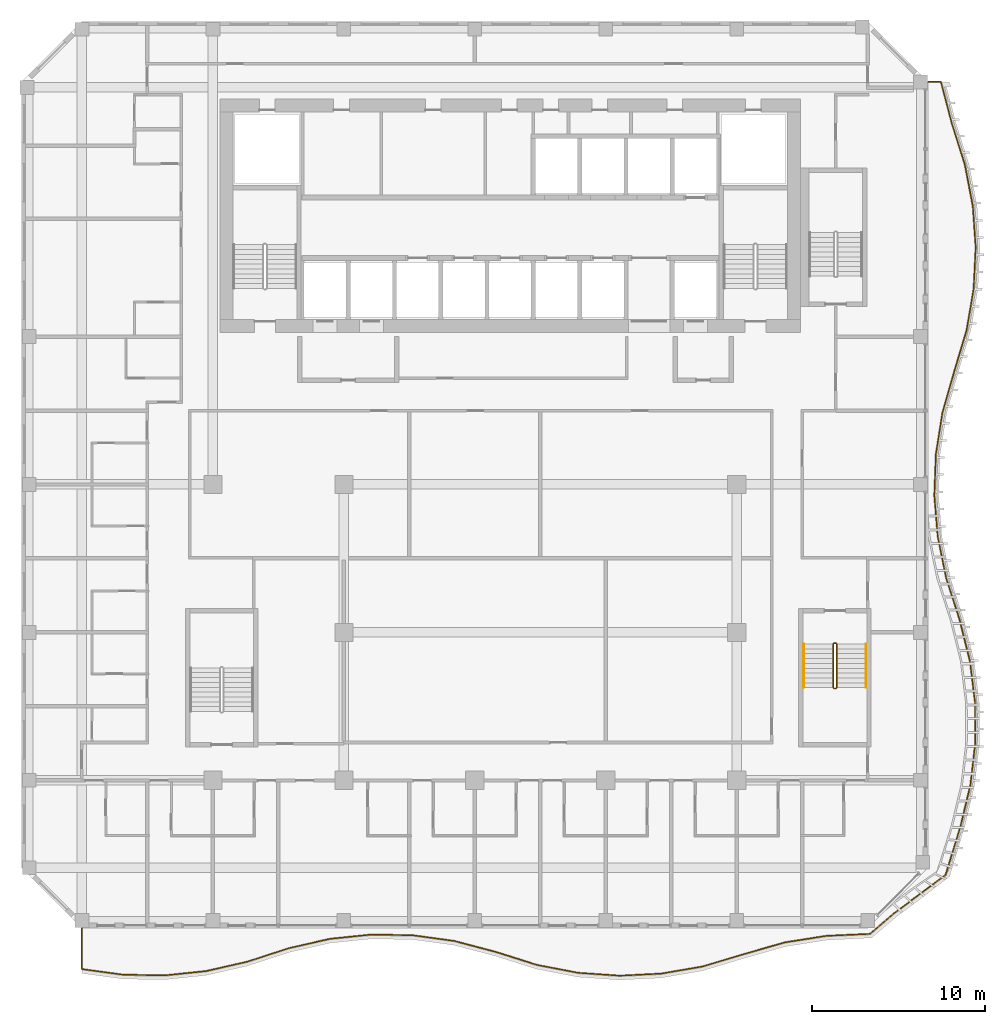
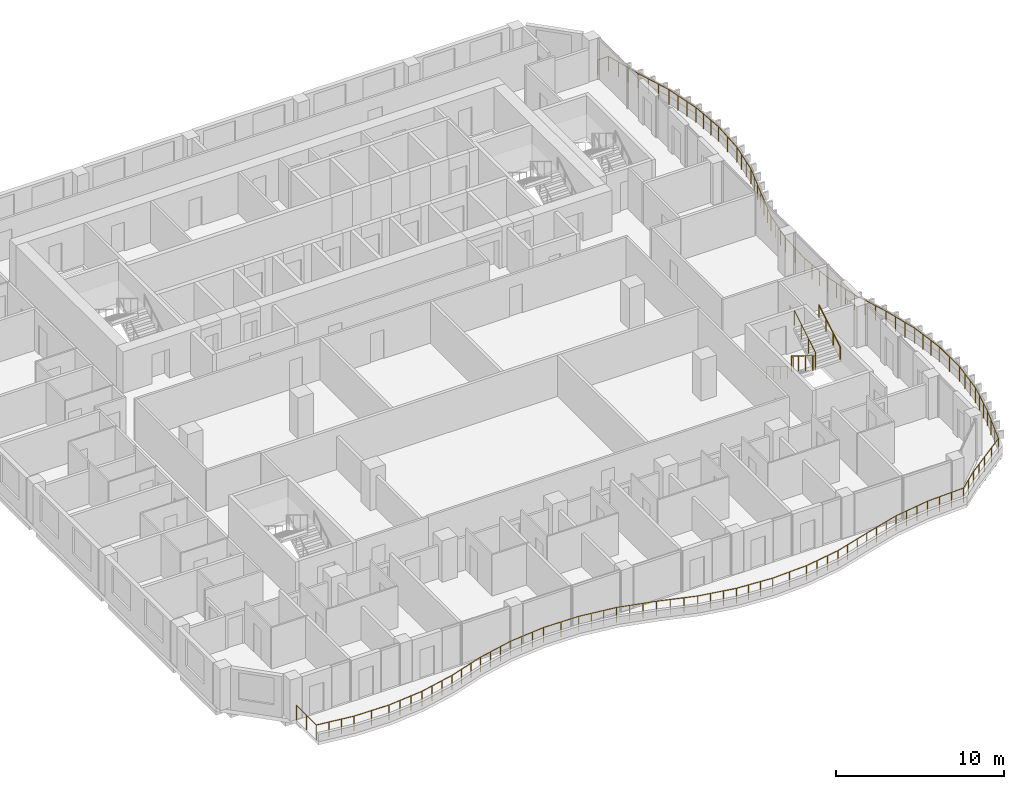
# One storey, part 23 of 24: 4 railings.
"""IFC4 building model written with IfcOpenShell, lengths in metres."""

from ifc_helpers import new_model, si_unit, direction, frame, origin, origin_2d, place, context, subcontext, project, spatial, circle, extrude, material, type_object, element, save


model = new_model("IFC4")

# Units and contexts
model_context = context("Model", 3, precision=1e-05, world=origin(), true_north=direction((0.0, 1.0)))
body_context = subcontext(model_context, "Body", "Model", "MODEL_VIEW")
ifc_project = project(units=[si_unit("LENGTHUNIT", "METRE"), si_unit("AREAUNIT", "SQUARE_METRE"), si_unit("VOLUMEUNIT", "CUBIC_METRE"), si_unit("PLANEANGLEUNIT", "RADIAN"), si_unit("MASSUNIT", "GRAM", prefix="KILO")], contexts=[model_context])

# Site, building, storey
site_placement = place(None, origin())
site = spatial("IfcSite", under=ifc_project, at=site_placement, CompositionType="ELEMENT")
building_placement = place(site_placement, origin())
building = spatial("IfcBuilding", under=site, at=building_placement, Name="Kilnfold Tower and Market Hall", CompositionType="ELEMENT")
storey_placement = place(building_placement, frame((0.0, 0.0, 192.300048828125)))
storey = spatial("IfcBuildingStorey", under=building, at=storey_placement, Name="L46", CompositionType="ELEMENT", Elevation=192.300048828125)

# Railings
ifc_material_1 = material(Name="Stainless steel 316", Category="steel")
railing_type_1 = type_object("IfcRailingType", Name="CORE STAIR GUARD 1100", PredefinedType="GUARDRAIL", material=ifc_material_1)
railing_1_placement = place(storey_placement, frame((19.89990234375, -9.75, 0.0)))
element("IfcRailing", 1, at=railing_1_placement, inside=storey, type_object=railing_type_1, Name="L46 ST4 stair guard 1", PredefinedType="GUARDRAIL", context=body_context, shape_type="SweptSolid", body=[
    extrude(circle(Radius=0.02392578125, at=origin_2d()), frame((0.0, 0.0, 1.076171875), z_axis=(-1.0, 0.0, 0.0), x_axis=(0.0, -1.0, 0.0)), (0.0, 0.0, 1.0), 0.099853515625),
    extrude(circle(Radius=0.02392578125, at=origin_2d()), frame((-0.099853515625, 0.0, 1.076171875), z_axis=(-0.271895245746, -0.271895245746, 0.923117517265), x_axis=(0.707106781187, -0.707106781187, 0.0)), (0.0, 0.0, 1.0), 0.18408203125),
    extrude(circle(Radius=0.02392578125, at=origin_2d()), frame((-0.14990234375, -0.050048828125, 1.24609375), z_axis=(0.0, -0.85478489116, 0.518982456201), x_axis=(1.0, 0.0, 0.0)), (0.0, 0.0, 1.0), 2.9482421875),
    extrude(circle(Radius=0.02392578125, at=origin_2d()), frame((-0.14990234375, -2.570068359375, 2.77587890625), z_axis=(0.707106781187, -0.707106781187, 0.0), x_axis=(0.707106781187, 0.707106781187, 0.0)), (0.0, 0.0, 1.0), 0.07080078125),
    extrude(circle(Radius=0.02392578125, at=origin_2d()), frame((-0.099853515625, -2.6201171875, 2.77587890625), z_axis=(1.0, 0.0, 0.0), x_axis=(0.0, 1.0, 0.0)), (0.0, 0.0, 1.0), 0.099853515625),
    extrude(circle(Radius=0.02392578125, at=origin_2d()), frame((0.0, -2.6201171875, 2.77587890625), z_axis=(0.271895245746, 0.271895245746, 0.923117517265), x_axis=(-0.707106781187, 0.707106781187, 0.0)), (0.0, 0.0, 1.0), 0.18408203125),
    extrude(circle(Radius=0.02392578125, at=origin_2d()), frame((0.050048828125, -2.570068359375, 2.94580078125), z_axis=(0.0, 0.85478489116, 0.518982456201), x_axis=(-1.0, 0.0, 0.0)), (0.0, 0.0, 1.0), 2.9482421875),
    extrude(circle(Radius=0.02099609375, at=origin_2d()), origin(), (0.0, 0.0, 1.0), 1.052001953125),
    extrude(circle(Radius=0.02099609375, at=origin_2d()), frame((-0.099853515625, 0.0, 0.0)), (0.0, 0.0, 1.0), 1.052001953125),
    extrude(circle(Radius=0.02099609375, at=origin_2d()), frame((-0.14990234375, -0.050048828125, 0.169921875)), (0.0, 0.0, 1.0), 1.052001953125),
    extrude(circle(Radius=0.02099609375, at=origin_2d()), frame((-0.14990234375, -0.89013671875, 0.679931640625)), (0.0, 0.0, 1.0), 1.052001953125),
    extrude(circle(Radius=0.02099609375, at=origin_2d()), frame((-0.14990234375, -1.72998046875, 1.18994140625)), (0.0, 0.0, 1.0), 1.052001953125),
    extrude(circle(Radius=0.02099609375, at=origin_2d()), frame((-0.14990234375, -2.570068359375, 1.699951171875)), (0.0, 0.0, 1.0), 1.052001953125),
    extrude(circle(Radius=0.02099609375, at=origin_2d()), frame((-0.099853515625, -2.6201171875, 1.699951171875)), (0.0, 0.0, 1.0), 1.052001953125),
    extrude(circle(Radius=0.02099609375, at=origin_2d()), frame((0.0, -2.6201171875, 1.699951171875)), (0.0, 0.0, 1.0), 1.052001953125),
    extrude(circle(Radius=0.02099609375, at=origin_2d()), frame((0.050048828125, -2.570068359375, 1.869873046875)), (0.0, 0.0, 1.0), 1.052001953125),
    extrude(circle(Radius=0.02099609375, at=origin_2d()), frame((0.050048828125, -1.72998046875, 2.3798828125)), (0.0, 0.0, 1.0), 1.052001953125),
    extrude(circle(Radius=0.02099609375, at=origin_2d()), frame((0.050048828125, -0.89013671875, 2.889892578125)), (0.0, 0.0, 1.0), 1.052001953125),
    extrude(circle(Radius=0.02099609375, at=origin_2d()), frame((0.050048828125, -0.050048828125, 3.39990234375)), (0.0, 0.0, 1.0), 1.052001953125),
])
ifc_material_2 = material(Name="Stainless steel 316", Category="steel")
railing_type_2 = type_object("IfcRailingType", Name="CORE STAIR HANDRAIL 900", PredefinedType="HANDRAIL", material=ifc_material_2)
railing_2_placement = place(storey_placement, frame((18.050048828125, -9.800048828125, 0.169921875)))
element("IfcRailing", 2, at=railing_2_placement, inside=storey, type_object=railing_type_2, Name="L46 ST4 stair handrail 1", PredefinedType="HANDRAIL", context=body_context, shape_type="SweptSolid", body=[
    extrude(circle(Radius=0.02392578125, at=origin_2d()), frame((0.0, 0.0, 0.8759765625), z_axis=(0.0, -0.85478489116, 0.518982456201), x_axis=(1.0, 0.0, 0.0)), (0.0, 0.0, 1.0), 2.9482421875),
    extrude(circle(Radius=0.02099609375, at=origin_2d()), origin(), (0.0, 0.0, 1.0), 0.851806640625),
    extrude(circle(Radius=0.02099609375, at=origin_2d()), frame((0.0, -0.840087890625, 0.510009765625)), (0.0, 0.0, 1.0), 0.851806640625),
    extrude(circle(Radius=0.02099609375, at=origin_2d()), frame((0.0, -1.679931640625, 1.02001953125)), (0.0, 0.0, 1.0), 0.851806640625),
    extrude(circle(Radius=0.02099609375, at=origin_2d()), frame((0.0, -2.52001953125, 1.530029296875)), (0.0, 0.0, 1.0), 0.851806640625),
])
railing_3_placement = place(storey_placement, frame((21.64990234375, -12.320068359375, 1.869873046875)))
element("IfcRailing", 3, at=railing_3_placement, inside=storey, type_object=railing_type_2, Name="L46 ST4 stair handrail 2", PredefinedType="HANDRAIL", context=body_context, shape_type="SweptSolid", body=[
    extrude(circle(Radius=0.02392578125, at=origin_2d()), frame((0.0, 0.0, 0.8759765625), z_axis=(0.0, 0.85478489116, 0.518982456201), x_axis=(-1.0, 0.0, 0.0)), (0.0, 0.0, 1.0), 2.9482421875),
    extrude(circle(Radius=0.02099609375, at=origin_2d()), origin(), (0.0, 0.0, 1.0), 0.851806640625),
    extrude(circle(Radius=0.02099609375, at=origin_2d()), frame((0.0, 0.840087890625, 0.510009765625)), (0.0, 0.0, 1.0), 0.851806640625),
    extrude(circle(Radius=0.02099609375, at=origin_2d()), frame((0.0, 1.679931640625, 1.02001953125)), (0.0, 0.0, 1.0), 0.851806640625),
    extrude(circle(Radius=0.02099609375, at=origin_2d()), frame((0.0, 2.52001953125, 1.530029296875)), (0.0, 0.0, 1.0), 0.851806640625),
])
ifc_material_3 = material(Name="Stainless steel and laminated glass", Category="steel")
railing_type_3 = type_object("IfcRailingType", Name="GUARD 1100", PredefinedType="GUARDRAIL", material=ifc_material_3)
railing_4_placement = place(storey_placement, frame((-23.75, -26.25, 0.0)))
element("IfcRailing", 4, at=railing_4_placement, inside=storey, type_object=railing_type_3, Name="Guard balcony L46", PredefinedType="GUARDRAIL", context=body_context, shape_type="SweptSolid", body=[
    extrude(circle(Radius=0.02490234375, at=origin_2d()), frame((0.0, 0.0, 1.0751953125), z_axis=(0.0, -1.0, 0.0), x_axis=(1.0, 0.0, 0.0)), (0.0, 0.0, 1.0), 2.3662109375),
    extrude(circle(Radius=0.02490234375, at=origin_2d()), frame((0.0, -2.3662109375, 1.0751953125), z_axis=(0.990851669737, -0.134955431825, 0.0), x_axis=(0.134955431825, 0.990851669737, 0.0)), (0.0, 0.0, 1.0), 2.4169921875),
    extrude(circle(Radius=0.02490234375, at=origin_2d()), frame((2.394775390625, -2.6923828125, 1.0751953125), z_axis=(0.999868650262, -0.016207474298, 0.0), x_axis=(0.016207474298, 0.999868650262, 0.0)), (0.0, 0.0, 1.0), 2.39501953125),
    extrude(circle(Radius=0.02490234375, at=origin_2d()), frame((4.78955078125, -2.731201171875, 1.0751953125), z_axis=(0.994687855772, 0.102937211828, 0.0), x_axis=(-0.102937211828, 0.994687855772, 0.0)), (0.0, 0.0, 1.0), 2.4072265625),
    extrude(circle(Radius=0.02490234375, at=origin_2d()), frame((7.18408203125, -2.4833984375, 1.0751953125), z_axis=(0.97511820574, 0.221685553961, 0.0), x_axis=(-0.221685553961, 0.97511820574, 0.0)), (0.0, 0.0, 1.0), 2.455810546875),
    extrude(circle(Radius=0.02490234375, at=origin_2d()), frame((9.578857421875, -1.93896484375, 1.0751953125), z_axis=(0.950660885118, 0.310231980147, 0.0), x_axis=(-0.310231980147, 0.950660885118, 0.0)), (0.0, 0.0, 1.0), 2.51904296875),
    extrude(circle(Radius=0.02490234375, at=origin_2d()), frame((11.9736328125, -1.157470703125, 1.0751953125), z_axis=(0.975246995053, 0.221118291059, 0.0), x_axis=(-0.221118291059, 0.975246995053, 0.0)), (0.0, 0.0, 1.0), 2.45556640625),
    extrude(circle(Radius=0.02490234375, at=origin_2d()), frame((14.368408203125, -0.614501953125, 1.0751953125), z_axis=(0.994761361098, 0.102224431847, 0.0), x_axis=(-0.102224431847, 0.994761361098, 0.0)), (0.0, 0.0, 1.0), 2.407470703125),
    extrude(circle(Radius=0.02490234375, at=origin_2d()), frame((16.76318359375, -0.368408203125, 1.0751953125), z_axis=(0.999860261141, -0.016717003041, 0.0), x_axis=(0.016717003041, 0.999860261141, 0.0)), (0.0, 0.0, 1.0), 2.39501953125),
    extrude(circle(Radius=0.02490234375, at=origin_2d()), frame((19.157958984375, -0.408447265625, 1.0751953125), z_axis=(0.990755022551, -0.135663131656, 0.0), x_axis=(0.135663131656, 0.990755022551, 0.0)), (0.0, 0.0, 1.0), 2.4169921875),
    extrude(circle(Radius=0.02490234375, at=origin_2d()), frame((21.552490234375, -0.736328125, 1.0751953125), z_axis=(0.967040051988, -0.254624307267, 0.0), x_axis=(0.254624307267, 0.967040051988, 0.0)), (0.0, 0.0, 1.0), 2.4765625),
    extrude(circle(Radius=0.02490234375, at=origin_2d()), frame((23.947509765625, -1.366943359375, 1.0751953125), z_axis=(0.953562091819, -0.301196509019, 0.0), x_axis=(0.301196509019, 0.953562091819, 0.0)), (0.0, 0.0, 1.0), 2.51123046875),
    extrude(circle(Radius=0.02490234375, at=origin_2d()), frame((26.342041015625, -2.123291015625, 1.0751953125), z_axis=(0.98210557725, -0.188331184709, 0.0), x_axis=(0.188331184709, 0.98210557725, 0.0)), (0.0, 0.0, 1.0), 2.4384765625),
    extrude(circle(Radius=0.02490234375, at=origin_2d()), frame((28.73681640625, -2.58251953125, 1.0751953125), z_axis=(0.997591657875, -0.06936053733, 0.0), x_axis=(0.06936053733, 0.997591657875, 0.0)), (0.0, 0.0, 1.0), 2.400634765625),
    extrude(circle(Radius=0.02490234375, at=origin_2d()), frame((31.131591796875, -2.7490234375, 1.0751953125), z_axis=(0.998769797863, 0.049587204767, 0.0), x_axis=(-0.049587204767, 0.998769797863, 0.0)), (0.0, 0.0, 1.0), 2.397705078125),
    extrude(circle(Radius=0.02490234375, at=origin_2d()), frame((33.5263671875, -2.630126953125, 1.0751953125), z_axis=(0.985698179357, 0.168520322845, 0.0), x_axis=(-0.168520322845, 0.985698179357, 0.0)), (0.0, 0.0, 1.0), 2.429443359375),
    extrude(circle(Radius=0.02490234375, at=origin_2d()), frame((35.921142578125, -2.220703125, 1.0751953125), z_axis=(0.957898824058, 0.287105978462, 0.0), x_axis=(-0.287105978462, 0.957898824058, 0.0)), (0.0, 0.0, 1.0), 2.5),
    extrude(circle(Radius=0.02490234375, at=origin_2d()), frame((38.31591796875, -1.5029296875, 1.0751953125), z_axis=(0.961608995727, 0.274423284976, 0.0), x_axis=(-0.274423284976, 0.961608995727, 0.0)), (0.0, 0.0, 1.0), 2.490234375),
    extrude(circle(Radius=0.02490234375, at=origin_2d()), frame((40.71044921875, -0.819580078125, 1.0751953125), z_axis=(0.987852622881, 0.155393678979, 0.0), x_axis=(-0.155393678979, 0.987852622881, 0.0)), (0.0, 0.0, 1.0), 2.42431640625),
    extrude(circle(Radius=0.02490234375, at=origin_2d()), frame((43.105224609375, -0.44287109375, 1.0751953125), z_axis=(0.998973699983, 0.045294003376, 0.0), x_axis=(-0.045294003376, 0.998973699983, 0.0)), (0.0, 0.0, 1.0), 2.533447265625),
    extrude(circle(Radius=0.02490234375, at=origin_2d()), frame((45.635986328125, -0.328125, 1.0751953125), z_axis=(0.757579649676, 0.652742732167, 0.0), x_axis=(-0.652742732167, 0.757579649676, 0.0)), (0.0, 0.0, 1.0), 1.790771484375),
    extrude(circle(Radius=0.02490234375, at=origin_2d()), frame((46.99267578125, 0.8408203125, 1.0751953125), z_axis=(0.802557595232, 0.596574644395, 0.0), x_axis=(-0.596574644395, 0.802557595232, 0.0)), (0.0, 0.0, 1.0), 1.667724609375),
    extrude(circle(Radius=0.02490234375, at=origin_2d()), frame((48.3310546875, 1.835693359375, 1.0751953125), z_axis=(0.802140782437, 0.597134963933, 0.0), x_axis=(-0.597134963933, 0.802140782437, 0.0)), (0.0, 0.0, 1.0), 2.0888671875),
    extrude(circle(Radius=0.02490234375, at=origin_2d()), frame((50.006591796875, 3.0830078125, 1.0751953125), z_axis=(0.29289551406, 0.956144454486, 0.0), x_axis=(-0.956144454486, 0.29289551406, 0.0)), (0.0, 0.0, 1.0), 2.940673828125),
    extrude(circle(Radius=0.02490234375, at=origin_2d()), frame((50.867919921875, 5.894775390625, 1.0751953125), z_axis=(0.233545410413, 0.972345895901, 0.0), x_axis=(-0.972345895901, 0.233545410413, 0.0)), (0.0, 0.0, 1.0), 2.462890625),
    extrude(circle(Radius=0.02490234375, at=origin_2d()), frame((51.443115234375, 8.28955078125, 1.0751953125), z_axis=(0.114654863149, 0.993405386716, 0.0), x_axis=(-0.993405386716, 0.114654863149, 0.0)), (0.0, 0.0, 1.0), 2.410400390625),
    extrude(circle(Radius=0.02490234375, at=origin_2d()), frame((51.719482421875, 10.68408203125, 1.0751953125), z_axis=(-0.004383687108, 0.999990391598, 0.0), x_axis=(-0.999990391598, -0.004383687108, 0.0)), (0.0, 0.0, 1.0), 2.394775390625),
    extrude(circle(Radius=0.02490234375, at=origin_2d()), frame((51.708984375, 13.078857421875, 1.0751953125), z_axis=(-0.123225331545, 0.992378716854, 0.0), x_axis=(-0.992378716854, -0.123225331545, 0.0)), (0.0, 0.0, 1.0), 2.4130859375),
    extrude(circle(Radius=0.02490234375, at=origin_2d()), frame((51.41162109375, 15.4736328125, 1.0751953125), z_axis=(-0.242139951351, 0.970241332844, 0.0), x_axis=(-0.970241332844, -0.242139951351, 0.0)), (0.0, 0.0, 1.0), 2.46826171875),
    extrude(circle(Radius=0.02490234375, at=origin_2d()), frame((50.81396484375, 17.868408203125, 1.0751953125), z_axis=(-0.306722092647, 0.951799116349, 0.0), x_axis=(-0.951799116349, -0.306722092647, 0.0)), (0.0, 0.0, 1.0), 2.51611328125),
    extrude(circle(Radius=0.02490234375, at=origin_2d()), frame((50.042236328125, 20.26318359375, 1.0751953125), z_axis=(-0.200742631259, 0.979644014934, 0.0), x_axis=(-0.979644014934, -0.200742631259, 0.0)), (0.0, 0.0, 1.0), 2.444580078125),
    extrude(circle(Radius=0.02490234375, at=origin_2d()), frame((49.551513671875, 22.657958984375, 1.0751953125), z_axis=(-0.08180079557, 0.996648699314, 0.0), x_axis=(-0.996648699314, -0.08180079557, 0.0)), (0.0, 0.0, 1.0), 2.402587890625),
    extrude(circle(Radius=0.02490234375, at=origin_2d()), frame((49.35498046875, 25.052490234375, 1.0751953125), z_axis=(0.037181204596, 0.999308539954, 0.0), x_axis=(-0.999308539954, 0.037181204596, 0.0)), (0.0, 0.0, 1.0), 2.396728515625),
    extrude(circle(Radius=0.02490234375, at=origin_2d()), frame((49.444091796875, 27.447509765625, 1.0751953125), z_axis=(0.156097030499, 0.987741725893, 0.0), x_axis=(-0.987741725893, 0.156097030499, 0.0)), (0.0, 0.0, 1.0), 2.42431640625),
    extrude(circle(Radius=0.02490234375, at=origin_2d()), frame((49.822509765625, 29.842041015625, 1.0751953125), z_axis=(0.275031804549, 0.96143512859, 0.0), x_axis=(-0.96143512859, 0.275031804549, 0.0)), (0.0, 0.0, 1.0), 2.49072265625),
    extrude(circle(Radius=0.02490234375, at=origin_2d()), frame((50.507568359375, 32.23681640625, 1.0751953125), z_axis=(0.28647855609, 0.958086654171, 0.0), x_axis=(-0.958086654171, 0.28647855609, 0.0)), (0.0, 0.0, 1.0), 2.49951171875),
    extrude(circle(Radius=0.02490234375, at=origin_2d()), frame((51.2236328125, 34.631591796875, 1.0751953125), z_axis=(0.167934421497, 0.985798169037, 0.0), x_axis=(-0.985798169037, 0.167934421497, 0.0)), (0.0, 0.0, 1.0), 2.42919921875),
    extrude(circle(Radius=0.02490234375, at=origin_2d()), frame((51.631591796875, 37.0263671875, 1.0751953125), z_axis=(0.048876167402, 0.998804845933, 0.0), x_axis=(-0.998804845933, 0.048876167402, 0.0)), (0.0, 0.0, 1.0), 2.397705078125),
    extrude(circle(Radius=0.02490234375, at=origin_2d()), frame((51.748779296875, 39.421142578125, 1.0751953125), z_axis=(-0.069967773022, 0.997549252287, 0.0), x_axis=(-0.997549252287, -0.069967773022, 0.0)), (0.0, 0.0, 1.0), 2.400634765625),
    extrude(circle(Radius=0.02490234375, at=origin_2d()), frame((51.580810546875, 41.81591796875, 1.0751953125), z_axis=(-0.188929089777, 0.981990732663, 0.0), x_axis=(-0.981990732663, -0.188929089777, 0.0)), (0.0, 0.0, 1.0), 2.4384765625),
    extrude(circle(Radius=0.02490234375, at=origin_2d()), frame((51.1201171875, 44.21044921875, 1.0751953125), z_axis=(-0.301522111337, 0.953459184431, 0.0), x_axis=(-0.953459184431, -0.301522111337, 0.0)), (0.0, 0.0, 1.0), 2.51171875),
    extrude(circle(Radius=0.02490234375, at=origin_2d()), frame((50.36279296875, 46.605224609375, 1.0751953125), z_axis=(-0.254003058175, 0.967203415233, 0.0), x_axis=(-0.967203415233, -0.254003058175, 0.0)), (0.0, 0.0, 1.0), 2.47607421875),
    extrude(circle(Radius=0.02490234375, at=origin_2d()), frame((49.73388671875, 49.0, 1.0751953125), z_axis=(-1.0, 0.0, 0.0), x_axis=(0.0, -1.0, 0.0)), (0.0, 0.0, 1.0), 0.73388671875),
    extrude(circle(Radius=0.02490234375, at=origin_2d()), origin(), (0.0, 0.0, 1.0), 1.050048828125),
    extrude(circle(Radius=0.02490234375, at=origin_2d()), frame((0.0, -1.18310546875, 0.0)), (0.0, 0.0, 1.0), 1.050048828125),
    extrude(circle(Radius=0.02490234375, at=origin_2d()), frame((0.0, -2.3662109375, 0.0)), (0.0, 0.0, 1.0), 1.050048828125),
    extrude(circle(Radius=0.02490234375, at=origin_2d()), frame((0.79833984375, -2.474853515625, 0.0)), (0.0, 0.0, 1.0), 1.050048828125),
    extrude(circle(Radius=0.02490234375, at=origin_2d()), frame((1.596435546875, -2.583740234375, 0.0)), (0.0, 0.0, 1.0), 1.050048828125),
    extrude(circle(Radius=0.02490234375, at=origin_2d()), frame((2.394775390625, -2.6923828125, 0.0)), (0.0, 0.0, 1.0), 1.050048828125),
    extrude(circle(Radius=0.02490234375, at=origin_2d()), frame((3.59228515625, -2.7119140625, 0.0)), (0.0, 0.0, 1.0), 1.050048828125),
    extrude(circle(Radius=0.02490234375, at=origin_2d()), frame((4.78955078125, -2.731201171875, 0.0)), (0.0, 0.0, 1.0), 1.050048828125),
    extrude(circle(Radius=0.02490234375, at=origin_2d()), frame((5.587646484375, -2.648681640625, 0.0)), (0.0, 0.0, 1.0), 1.050048828125),
    extrude(circle(Radius=0.02490234375, at=origin_2d()), frame((6.385986328125, -2.56591796875, 0.0)), (0.0, 0.0, 1.0), 1.050048828125),
    extrude(circle(Radius=0.02490234375, at=origin_2d()), frame((7.18408203125, -2.4833984375, 0.0)), (0.0, 0.0, 1.0), 1.050048828125),
    extrude(circle(Radius=0.02490234375, at=origin_2d()), frame((7.982421875, -2.302001953125, 0.0)), (0.0, 0.0, 1.0), 1.050048828125),
    extrude(circle(Radius=0.02490234375, at=origin_2d()), frame((8.780517578125, -2.120361328125, 0.0)), (0.0, 0.0, 1.0), 1.050048828125),
    extrude(circle(Radius=0.02490234375, at=origin_2d()), frame((9.578857421875, -1.93896484375, 0.0)), (0.0, 0.0, 1.0), 1.050048828125),
    extrude(circle(Radius=0.02490234375, at=origin_2d()), frame((10.377197265625, -1.678466796875, 0.0)), (0.0, 0.0, 1.0), 1.050048828125),
    extrude(circle(Radius=0.02490234375, at=origin_2d()), frame((11.17529296875, -1.41796875, 0.0)), (0.0, 0.0, 1.0), 1.050048828125),
    extrude(circle(Radius=0.02490234375, at=origin_2d()), frame((11.9736328125, -1.157470703125, 0.0)), (0.0, 0.0, 1.0), 1.050048828125),
    extrude(circle(Radius=0.02490234375, at=origin_2d()), frame((12.77197265625, -0.9765625, 0.0)), (0.0, 0.0, 1.0), 1.050048828125),
    extrude(circle(Radius=0.02490234375, at=origin_2d()), frame((13.570068359375, -0.79541015625, 0.0)), (0.0, 0.0, 1.0), 1.050048828125),
    extrude(circle(Radius=0.02490234375, at=origin_2d()), frame((14.368408203125, -0.614501953125, 0.0)), (0.0, 0.0, 1.0), 1.050048828125),
    extrude(circle(Radius=0.02490234375, at=origin_2d()), frame((15.166748046875, -0.532470703125, 0.0)), (0.0, 0.0, 1.0), 1.050048828125),
    extrude(circle(Radius=0.02490234375, at=origin_2d()), frame((15.96484375, -0.450439453125, 0.0)), (0.0, 0.0, 1.0), 1.050048828125),
    extrude(circle(Radius=0.02490234375, at=origin_2d()), frame((16.76318359375, -0.368408203125, 0.0)), (0.0, 0.0, 1.0), 1.050048828125),
    extrude(circle(Radius=0.02490234375, at=origin_2d()), frame((17.96044921875, -0.388427734375, 0.0)), (0.0, 0.0, 1.0), 1.050048828125),
    extrude(circle(Radius=0.02490234375, at=origin_2d()), frame((19.157958984375, -0.408447265625, 0.0)), (0.0, 0.0, 1.0), 1.050048828125),
    extrude(circle(Radius=0.02490234375, at=origin_2d()), frame((19.9560546875, -0.517822265625, 0.0)), (0.0, 0.0, 1.0), 1.050048828125),
    extrude(circle(Radius=0.02490234375, at=origin_2d()), frame((20.75439453125, -0.626953125, 0.0)), (0.0, 0.0, 1.0), 1.050048828125),
    extrude(circle(Radius=0.02490234375, at=origin_2d()), frame((21.552490234375, -0.736328125, 0.0)), (0.0, 0.0, 1.0), 1.050048828125),
    extrude(circle(Radius=0.02490234375, at=origin_2d()), frame((22.350830078125, -0.946533203125, 0.0)), (0.0, 0.0, 1.0), 1.050048828125),
    extrude(circle(Radius=0.02490234375, at=origin_2d()), frame((23.149169921875, -1.15673828125, 0.0)), (0.0, 0.0, 1.0), 1.050048828125),
    extrude(circle(Radius=0.02490234375, at=origin_2d()), frame((23.947509765625, -1.366943359375, 0.0)), (0.0, 0.0, 1.0), 1.050048828125),
    extrude(circle(Radius=0.02490234375, at=origin_2d()), frame((24.74560546875, -1.619140625, 0.0)), (0.0, 0.0, 1.0), 1.050048828125),
    extrude(circle(Radius=0.02490234375, at=origin_2d()), frame((25.5439453125, -1.87109375, 0.0)), (0.0, 0.0, 1.0), 1.050048828125),
    extrude(circle(Radius=0.02490234375, at=origin_2d()), frame((26.342041015625, -2.123291015625, 0.0)), (0.0, 0.0, 1.0), 1.050048828125),
    extrude(circle(Radius=0.02490234375, at=origin_2d()), frame((27.140380859375, -2.2763671875, 0.0)), (0.0, 0.0, 1.0), 1.050048828125),
    extrude(circle(Radius=0.02490234375, at=origin_2d()), frame((27.9384765625, -2.429443359375, 0.0)), (0.0, 0.0, 1.0), 1.050048828125),
    extrude(circle(Radius=0.02490234375, at=origin_2d()), frame((28.73681640625, -2.58251953125, 0.0)), (0.0, 0.0, 1.0), 1.050048828125),
    extrude(circle(Radius=0.02490234375, at=origin_2d()), frame((29.53515625, -2.637939453125, 0.0)), (0.0, 0.0, 1.0), 1.050048828125),
    extrude(circle(Radius=0.02490234375, at=origin_2d()), frame((30.333251953125, -2.693603515625, 0.0)), (0.0, 0.0, 1.0), 1.050048828125),
    extrude(circle(Radius=0.02490234375, at=origin_2d()), frame((31.131591796875, -2.7490234375, 0.0)), (0.0, 0.0, 1.0), 1.050048828125),
    extrude(circle(Radius=0.02490234375, at=origin_2d()), frame((32.3291015625, -2.689453125, 0.0)), (0.0, 0.0, 1.0), 1.050048828125),
    extrude(circle(Radius=0.02490234375, at=origin_2d()), frame((33.5263671875, -2.630126953125, 0.0)), (0.0, 0.0, 1.0), 1.050048828125),
    extrude(circle(Radius=0.02490234375, at=origin_2d()), frame((34.32470703125, -2.49365234375, 0.0)), (0.0, 0.0, 1.0), 1.050048828125),
    extrude(circle(Radius=0.02490234375, at=origin_2d()), frame((35.122802734375, -2.357177734375, 0.0)), (0.0, 0.0, 1.0), 1.050048828125),
    extrude(circle(Radius=0.02490234375, at=origin_2d()), frame((35.921142578125, -2.220703125, 0.0)), (0.0, 0.0, 1.0), 1.050048828125),
    extrude(circle(Radius=0.02490234375, at=origin_2d()), frame((36.719482421875, -1.9814453125, 0.0)), (0.0, 0.0, 1.0), 1.050048828125),
    extrude(circle(Radius=0.02490234375, at=origin_2d()), frame((37.517578125, -1.7421875, 0.0)), (0.0, 0.0, 1.0), 1.050048828125),
    extrude(circle(Radius=0.02490234375, at=origin_2d()), frame((38.31591796875, -1.5029296875, 0.0)), (0.0, 0.0, 1.0), 1.050048828125),
    extrude(circle(Radius=0.02490234375, at=origin_2d()), frame((39.114013671875, -1.275146484375, 0.0)), (0.0, 0.0, 1.0), 1.050048828125),
    extrude(circle(Radius=0.02490234375, at=origin_2d()), frame((39.912353515625, -1.04736328125, 0.0)), (0.0, 0.0, 1.0), 1.050048828125),
    extrude(circle(Radius=0.02490234375, at=origin_2d()), frame((40.71044921875, -0.819580078125, 0.0)), (0.0, 0.0, 1.0), 1.050048828125),
    extrude(circle(Radius=0.02490234375, at=origin_2d()), frame((41.5087890625, -0.694091796875, 0.0)), (0.0, 0.0, 1.0), 1.050048828125),
    extrude(circle(Radius=0.02490234375, at=origin_2d()), frame((42.306884765625, -0.568359375, 0.0)), (0.0, 0.0, 1.0), 1.050048828125),
    extrude(circle(Radius=0.02490234375, at=origin_2d()), frame((43.105224609375, -0.44287109375, 0.0)), (0.0, 0.0, 1.0), 1.050048828125),
    extrude(circle(Radius=0.02490234375, at=origin_2d()), frame((43.94873046875, -0.404541015625, 0.0)), (0.0, 0.0, 1.0), 1.050048828125),
    extrude(circle(Radius=0.02490234375, at=origin_2d()), frame((44.79248046875, -0.366455078125, 0.0)), (0.0, 0.0, 1.0), 1.050048828125),
    extrude(circle(Radius=0.02490234375, at=origin_2d()), frame((45.635986328125, -0.328125, 0.0)), (0.0, 0.0, 1.0), 1.050048828125),
    extrude(circle(Radius=0.02490234375, at=origin_2d()), frame((46.314453125, 0.25634765625, 0.0)), (0.0, 0.0, 1.0), 1.050048828125),
    extrude(circle(Radius=0.02490234375, at=origin_2d()), frame((46.99267578125, 0.8408203125, 0.0)), (0.0, 0.0, 1.0), 1.050048828125),
    extrude(circle(Radius=0.02490234375, at=origin_2d()), frame((47.661865234375, 1.33837890625, 0.0)), (0.0, 0.0, 1.0), 1.050048828125),
    extrude(circle(Radius=0.02490234375, at=origin_2d()), frame((48.3310546875, 1.835693359375, 0.0)), (0.0, 0.0, 1.0), 1.050048828125),
    extrude(circle(Radius=0.02490234375, at=origin_2d()), frame((49.1689453125, 2.45947265625, 0.0)), (0.0, 0.0, 1.0), 1.050048828125),
    extrude(circle(Radius=0.02490234375, at=origin_2d()), frame((50.006591796875, 3.0830078125, 0.0)), (0.0, 0.0, 1.0), 1.050048828125),
    extrude(circle(Radius=0.02490234375, at=origin_2d()), frame((50.293701171875, 4.020263671875, 0.0)), (0.0, 0.0, 1.0), 1.050048828125),
    extrude(circle(Radius=0.02490234375, at=origin_2d()), frame((50.580810546875, 4.95751953125, 0.0)), (0.0, 0.0, 1.0), 1.050048828125),
    extrude(circle(Radius=0.02490234375, at=origin_2d()), frame((50.867919921875, 5.894775390625, 0.0)), (0.0, 0.0, 1.0), 1.050048828125),
    extrude(circle(Radius=0.02490234375, at=origin_2d()), frame((51.0595703125, 6.693115234375, 0.0)), (0.0, 0.0, 1.0), 1.050048828125),
    extrude(circle(Radius=0.02490234375, at=origin_2d()), frame((51.25146484375, 7.4912109375, 0.0)), (0.0, 0.0, 1.0), 1.050048828125),
    extrude(circle(Radius=0.02490234375, at=origin_2d()), frame((51.443115234375, 8.28955078125, 0.0)), (0.0, 0.0, 1.0), 1.050048828125),
    extrude(circle(Radius=0.02490234375, at=origin_2d()), frame((51.53515625, 9.087646484375, 0.0)), (0.0, 0.0, 1.0), 1.050048828125),
    extrude(circle(Radius=0.02490234375, at=origin_2d()), frame((51.62744140625, 9.885986328125, 0.0)), (0.0, 0.0, 1.0), 1.050048828125),
    extrude(circle(Radius=0.02490234375, at=origin_2d()), frame((51.719482421875, 10.68408203125, 0.0)), (0.0, 0.0, 1.0), 1.050048828125),
    extrude(circle(Radius=0.02490234375, at=origin_2d()), frame((51.71435546875, 11.88134765625, 0.0)), (0.0, 0.0, 1.0), 1.050048828125),
    extrude(circle(Radius=0.02490234375, at=origin_2d()), frame((51.708984375, 13.078857421875, 0.0)), (0.0, 0.0, 1.0), 1.050048828125),
    extrude(circle(Radius=0.02490234375, at=origin_2d()), frame((51.60986328125, 13.877197265625, 0.0)), (0.0, 0.0, 1.0), 1.050048828125),
    extrude(circle(Radius=0.02490234375, at=origin_2d()), frame((51.5107421875, 14.67529296875, 0.0)), (0.0, 0.0, 1.0), 1.050048828125),
    extrude(circle(Radius=0.02490234375, at=origin_2d()), frame((51.41162109375, 15.4736328125, 0.0)), (0.0, 0.0, 1.0), 1.050048828125),
    extrude(circle(Radius=0.02490234375, at=origin_2d()), frame((51.21240234375, 16.27197265625, 0.0)), (0.0, 0.0, 1.0), 1.050048828125),
    extrude(circle(Radius=0.02490234375, at=origin_2d()), frame((51.01318359375, 17.070068359375, 0.0)), (0.0, 0.0, 1.0), 1.050048828125),
    extrude(circle(Radius=0.02490234375, at=origin_2d()), frame((50.81396484375, 17.868408203125, 0.0)), (0.0, 0.0, 1.0), 1.050048828125),
    extrude(circle(Radius=0.02490234375, at=origin_2d()), frame((50.556640625, 18.666748046875, 0.0)), (0.0, 0.0, 1.0), 1.050048828125),
    extrude(circle(Radius=0.02490234375, at=origin_2d()), frame((50.299560546875, 19.46484375, 0.0)), (0.0, 0.0, 1.0), 1.050048828125),
    extrude(circle(Radius=0.02490234375, at=origin_2d()), frame((50.042236328125, 20.26318359375, 0.0)), (0.0, 0.0, 1.0), 1.050048828125),
    extrude(circle(Radius=0.02490234375, at=origin_2d()), frame((49.878662109375, 21.0615234375, 0.0)), (0.0, 0.0, 1.0), 1.050048828125),
    extrude(circle(Radius=0.02490234375, at=origin_2d()), frame((49.715087890625, 21.859619140625, 0.0)), (0.0, 0.0, 1.0), 1.050048828125),
    extrude(circle(Radius=0.02490234375, at=origin_2d()), frame((49.551513671875, 22.657958984375, 0.0)), (0.0, 0.0, 1.0), 1.050048828125),
    extrude(circle(Radius=0.02490234375, at=origin_2d()), frame((49.486083984375, 23.4560546875, 0.0)), (0.0, 0.0, 1.0), 1.050048828125),
    extrude(circle(Radius=0.02490234375, at=origin_2d()), frame((49.42041015625, 24.25439453125, 0.0)), (0.0, 0.0, 1.0), 1.050048828125),
    extrude(circle(Radius=0.02490234375, at=origin_2d()), frame((49.35498046875, 25.052490234375, 0.0)), (0.0, 0.0, 1.0), 1.050048828125),
    extrude(circle(Radius=0.02490234375, at=origin_2d()), frame((49.3994140625, 26.25, 0.0)), (0.0, 0.0, 1.0), 1.050048828125),
    extrude(circle(Radius=0.02490234375, at=origin_2d()), frame((49.444091796875, 27.447509765625, 0.0)), (0.0, 0.0, 1.0), 1.050048828125),
    extrude(circle(Radius=0.02490234375, at=origin_2d()), frame((49.5703125, 28.24560546875, 0.0)), (0.0, 0.0, 1.0), 1.050048828125),
    extrude(circle(Radius=0.02490234375, at=origin_2d()), frame((49.6962890625, 29.0439453125, 0.0)), (0.0, 0.0, 1.0), 1.050048828125),
    extrude(circle(Radius=0.02490234375, at=origin_2d()), frame((49.822509765625, 29.842041015625, 0.0)), (0.0, 0.0, 1.0), 1.050048828125),
    extrude(circle(Radius=0.02490234375, at=origin_2d()), frame((50.05078125, 30.640380859375, 0.0)), (0.0, 0.0, 1.0), 1.050048828125),
    extrude(circle(Radius=0.02490234375, at=origin_2d()), frame((50.279296875, 31.4384765625, 0.0)), (0.0, 0.0, 1.0), 1.050048828125),
    extrude(circle(Radius=0.02490234375, at=origin_2d()), frame((50.507568359375, 32.23681640625, 0.0)), (0.0, 0.0, 1.0), 1.050048828125),
    extrude(circle(Radius=0.02490234375, at=origin_2d()), frame((50.746337890625, 33.03515625, 0.0)), (0.0, 0.0, 1.0), 1.050048828125),
    extrude(circle(Radius=0.02490234375, at=origin_2d()), frame((50.98486328125, 33.833251953125, 0.0)), (0.0, 0.0, 1.0), 1.050048828125),
    extrude(circle(Radius=0.02490234375, at=origin_2d()), frame((51.2236328125, 34.631591796875, 0.0)), (0.0, 0.0, 1.0), 1.050048828125),
    extrude(circle(Radius=0.02490234375, at=origin_2d()), frame((51.359619140625, 35.429931640625, 0.0)), (0.0, 0.0, 1.0), 1.050048828125),
    extrude(circle(Radius=0.02490234375, at=origin_2d()), frame((51.49560546875, 36.22802734375, 0.0)), (0.0, 0.0, 1.0), 1.050048828125),
    extrude(circle(Radius=0.02490234375, at=origin_2d()), frame((51.631591796875, 37.0263671875, 0.0)), (0.0, 0.0, 1.0), 1.050048828125),
    extrude(circle(Radius=0.02490234375, at=origin_2d()), frame((51.690185546875, 38.2236328125, 0.0)), (0.0, 0.0, 1.0), 1.050048828125),
    extrude(circle(Radius=0.02490234375, at=origin_2d()), frame((51.748779296875, 39.421142578125, 0.0)), (0.0, 0.0, 1.0), 1.050048828125),
    extrude(circle(Radius=0.02490234375, at=origin_2d()), frame((51.69287109375, 40.219482421875, 0.0)), (0.0, 0.0, 1.0), 1.050048828125),
    extrude(circle(Radius=0.02490234375, at=origin_2d()), frame((51.63671875, 41.017578125, 0.0)), (0.0, 0.0, 1.0), 1.050048828125),
    extrude(circle(Radius=0.02490234375, at=origin_2d()), frame((51.580810546875, 41.81591796875, 0.0)), (0.0, 0.0, 1.0), 1.050048828125),
    extrude(circle(Radius=0.02490234375, at=origin_2d()), frame((51.42724609375, 42.614013671875, 0.0)), (0.0, 0.0, 1.0), 1.050048828125),
    extrude(circle(Radius=0.02490234375, at=origin_2d()), frame((51.273681640625, 43.412353515625, 0.0)), (0.0, 0.0, 1.0), 1.050048828125),
    extrude(circle(Radius=0.02490234375, at=origin_2d()), frame((51.1201171875, 44.21044921875, 0.0)), (0.0, 0.0, 1.0), 1.050048828125),
    extrude(circle(Radius=0.02490234375, at=origin_2d()), frame((50.86767578125, 45.0087890625, 0.0)), (0.0, 0.0, 1.0), 1.050048828125),
    extrude(circle(Radius=0.02490234375, at=origin_2d()), frame((50.615234375, 45.806884765625, 0.0)), (0.0, 0.0, 1.0), 1.050048828125),
    extrude(circle(Radius=0.02490234375, at=origin_2d()), frame((50.36279296875, 46.605224609375, 0.0)), (0.0, 0.0, 1.0), 1.050048828125),
    extrude(circle(Radius=0.02490234375, at=origin_2d()), frame((50.153076171875, 47.403564453125, 0.0)), (0.0, 0.0, 1.0), 1.050048828125),
    extrude(circle(Radius=0.02490234375, at=origin_2d()), frame((49.943603515625, 48.20166015625, 0.0)), (0.0, 0.0, 1.0), 1.050048828125),
    extrude(circle(Radius=0.02490234375, at=origin_2d()), frame((49.73388671875, 49.0, 0.0)), (0.0, 0.0, 1.0), 1.050048828125),
    extrude(circle(Radius=0.02490234375, at=origin_2d()), frame((49.0, 49.0, 0.0)), (0.0, 0.0, 1.0), 1.050048828125),
])

save(model, "model.ifc")
